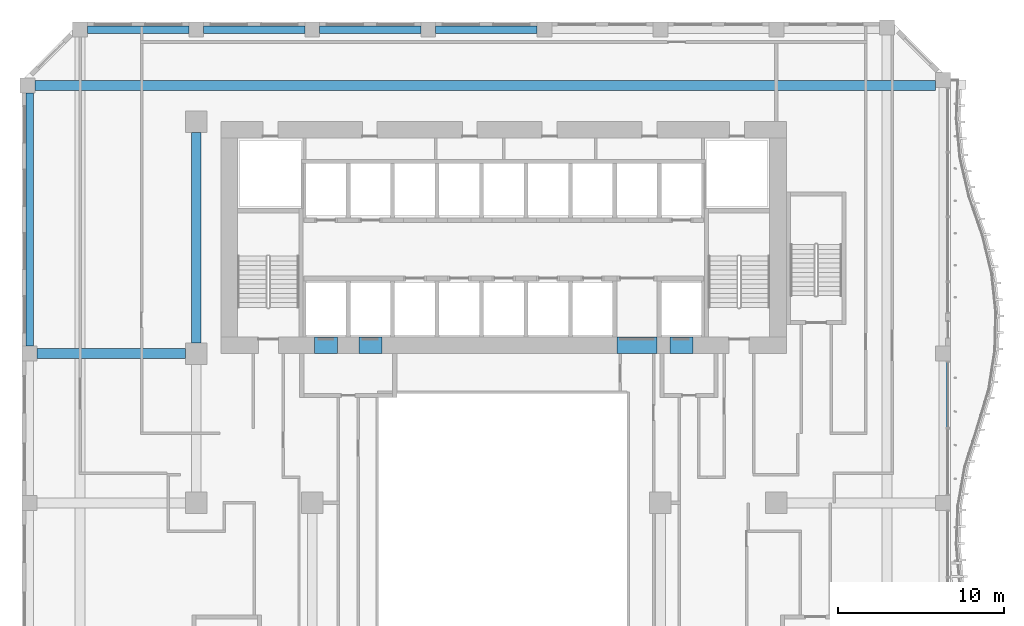
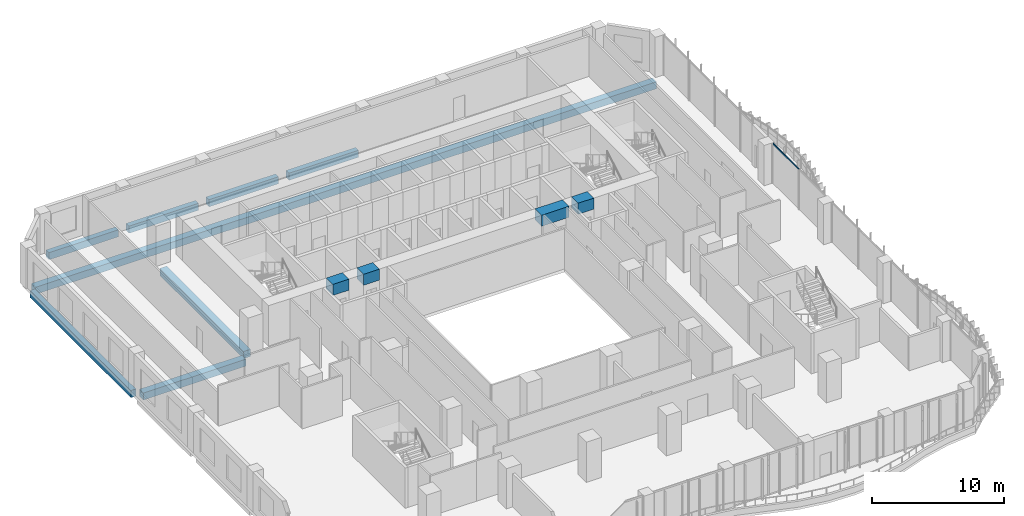
# One storey, part 9 of 27: 12 beams, 1 member, 1 element without a shape of its own.
"""IFC4 building model written with IfcOpenShell, lengths in metres."""

from ifc_helpers import new_model, si_unit, direction, frame, origin, origin_2d, place, context, subcontext, project, spatial, rectangle, extrude, source, transform, mapped, material, material_profile, profile_set, type_object, element, aggregate, save


model = new_model("IFC4")

# Units and contexts
model_context = context("Model", 3, precision=1e-05, world=origin(), true_north=direction((0.0, 1.0)))
body_context = subcontext(model_context, "Body", "Model", "MODEL_VIEW")
ifc_project = project(units=[si_unit("LENGTHUNIT", "METRE"), si_unit("AREAUNIT", "SQUARE_METRE"), si_unit("VOLUMEUNIT", "CUBIC_METRE"), si_unit("PLANEANGLEUNIT", "RADIAN"), si_unit("MASSUNIT", "GRAM", prefix="KILO")], contexts=[model_context])

# Site, building, storey
site_placement = place(None, origin())
site = spatial("IfcSite", under=ifc_project, at=site_placement, CompositionType="ELEMENT")
building_placement = place(site_placement, origin())
building = spatial("IfcBuilding", under=site, at=building_placement, Name="Kilnfold Tower and Market Hall", CompositionType="ELEMENT")
storey_placement = place(building_placement, frame((0.0, 0.0, 43.0)))
storey = spatial("IfcBuildingStorey", under=building, at=storey_placement, Name="L09", CompositionType="ELEMENT", Elevation=43.0)

# Beams
ifc_material_1 = material(Name="Concrete C45", Category="concrete")
ifc_material_profile_1 = material_profile(ifc_material_1, rectangle(XDim=0.449951171875, YDim=0.64990234375, at=origin_2d()), Name="RC 450x650")
ifc_profile_set_1 = profile_set([ifc_material_profile_1], Name="Concrete C45")
beam_type_1 = type_object("IfcBeamType", Name="EDGE BEAM 450X650 C45", PredefinedType="BEAM", material=ifc_profile_set_1)
shared_shape_1 = source(origin(), body_context, "Body", "SweptSolid", [
    extrude(rectangle(XDim=0.449951171875, YDim=0.64990234375, at=origin_2d()), origin(), (0.0, 0.0, 1.0), 6.10009765625),
])
for number, where, z_axis, x_axis, name in (
    (1, (-24.050048828125, 27.550048828125, -0.60498046875), (1.0, 0.0, 0.0), (0.0, 1.0, 0.0), "Beam EB650-B1.23"),
    (2, (-17.050048828125, 27.550048828125, -0.60498046875), (1.0, 0.0, 0.0), (0.0, 1.0, 0.0), "Beam EB650-B1.24"),
    (3, (-10.050048828125, 27.550048828125, -0.60498046875), (1.0, 0.0, 0.0), (0.0, 1.0, 0.0), "Beam EB650-B1.25"),
    (4, (-3.050048828125, 27.550048828125, -0.60498046875), (1.0, 0.0, 0.0), (0.0, 1.0, 0.0), "Beam EB650-B1.26"),
):
    element("IfcBeam", number, at=place(storey_placement, frame(where, z_axis=z_axis, x_axis=x_axis)), inside=storey, type_object=beam_type_1, Name=name, PredefinedType="BEAM", context=body_context, shape_type="MappedRepresentation", body=[
        mapped(shared_shape_1, transform((0.0, 0.0, 0.0))),
    ])
ifc_material_2 = material(Name="Concrete C45", Category="concrete")
ifc_material_profile_2 = material_profile(ifc_material_2, rectangle(XDim=0.60009765625, YDim=0.64990234375, at=origin_2d()), Name="RC 600x650")
ifc_profile_set_2 = profile_set([ifc_material_profile_2], Name="Concrete C45")
beam_type_2 = type_object("IfcBeamType", Name="BEAM 600X650 C45", PredefinedType="BEAM", material=ifc_profile_set_2)
shared_shape_2 = source(origin(), body_context, "Body", "SweptSolid", [
    extrude(rectangle(XDim=0.60009765625, YDim=0.64990234375, at=origin_2d()), origin(), (0.0, 0.0, 1.0), 8.9501953125),
])
beam_1_placement = place(storey_placement, frame((-27.10009765625, 8.0, -0.60498046875), z_axis=(1.0, 0.0, 0.0), x_axis=(0.0, 1.0, 0.0)))
element("IfcBeam", 5, at=beam_1_placement, inside=storey, type_object=beam_type_2, Name="Beam BB650-B1.21", PredefinedType="BEAM", context=body_context, shape_type="MappedRepresentation", body=[
    mapped(shared_shape_2, transform((0.0, 0.0, 0.0))),
])
shared_shape_3 = source(origin(), body_context, "Body", "SweptSolid", [
    extrude(rectangle(XDim=0.60009765625, YDim=0.64990234375, at=origin_2d()), origin(), (0.0, 0.0, 1.0), 54.331787109375),
])
beam_2_placement = place(storey_placement, frame((-27.231689453125, 24.179931640625, -0.60498046875), z_axis=(1.0, 0.0, 0.0), x_axis=(0.0, 1.0, 0.0)))
element("IfcBeam", 6, at=beam_2_placement, inside=storey, type_object=beam_type_2, Name="Beam BB650-B1.22", PredefinedType="BEAM", context=body_context, shape_type="MappedRepresentation", body=[
    mapped(shared_shape_3, transform((0.0, 0.0, 0.0))),
])
shared_shape_4 = source(origin(), body_context, "Body", "SweptSolid", [
    extrude(rectangle(XDim=0.449951171875, YDim=0.64990234375, at=origin_2d()), origin(), (0.0, 0.0, 1.0), 15.28173828125),
])
beam_3_placement = place(storey_placement, frame((-27.550048828125, 8.449951171875, -0.60498046875), z_axis=(0.0, 1.0, 0.0), x_axis=(-1.0, 0.0, 0.0)))
element("IfcBeam", 7, at=beam_3_placement, inside=storey, type_object=beam_type_1, Name="Beam EB650-B1.34", PredefinedType="BEAM", context=body_context, shape_type="MappedRepresentation", body=[
    mapped(shared_shape_4, transform((0.0, 0.0, 0.0))),
])
shared_shape_5 = source(origin(), body_context, "Body", "SweptSolid", [
    extrude(rectangle(XDim=0.60009765625, YDim=0.64990234375, at=origin_2d()), origin(), (0.0, 0.0, 1.0), 12.7001953125),
])
beam_4_placement = place(storey_placement, frame((-17.5, 8.64990234375, -0.60498046875), z_axis=(0.0, 1.0, 0.0), x_axis=(-1.0, 0.0, 0.0)))
element("IfcBeam", 8, at=beam_4_placement, inside=storey, type_object=beam_type_2, Name="Beam BB650-B1.38", PredefinedType="BEAM", context=body_context, shape_type="MappedRepresentation", body=[
    mapped(shared_shape_5, transform((0.0, 0.0, 0.0))),
])
ifc_material_3 = material(Name="Concrete C80", Category="concrete")
ifc_material_profile_3 = material_profile(ifc_material_3, rectangle(XDim=1.0, YDim=1.02001953125, at=origin_2d()), Name="RC 1000x1020")
ifc_profile_set_3 = profile_set([ifc_material_profile_3], Name="Concrete C80")
beam_type_3 = type_object("IfcBeamType", Name="COUPLING BEAM 1000X1020 C80", PredefinedType="BEAM", material=ifc_profile_set_3)
shared_shape_6 = source(origin(), body_context, "Body", "SweptSolid", [
    extrude(rectangle(XDim=1.0, YDim=1.02001953125, at=origin_2d()), origin(), (0.0, 0.0, 1.0), 1.400146484375),
])
beam_5_placement = place(storey_placement, frame((-10.3701171875, 8.5, 3.2099609375), z_axis=(1.0, 0.0, 0.0), x_axis=(0.0, 1.0, 0.0)))
element("IfcBeam", 9, at=beam_5_placement, inside=storey, type_object=beam_type_3, Name="Coupling beam CB1020-80-CORE.42", PredefinedType="BEAM", context=body_context, shape_type="MappedRepresentation", body=[
    mapped(shared_shape_6, transform((0.0, 0.0, 0.0))),
])
shared_shape_7 = source(origin(), body_context, "Body", "SweptSolid", [
    extrude(rectangle(XDim=1.0, YDim=1.02001953125, at=origin_2d()), origin(), (0.0, 0.0, 1.0), 1.39990234375),
])
for number, where, z_axis, x_axis, name in (
    (10, (-7.68994140625, 8.5, 3.2099609375), (1.0, 0.0, 0.0), (0.0, 1.0, 0.0), "Coupling beam CB1020-80-CORE.43"),
    (11, (11.070068359375, 8.5, 3.2099609375), (1.0, 0.0, 0.0), (0.0, 1.0, 0.0), "Coupling beam CB1020-80-CORE.45"),
):
    element("IfcBeam", number, at=place(storey_placement, frame(where, z_axis=z_axis, x_axis=x_axis)), inside=storey, type_object=beam_type_3, Name=name, PredefinedType="BEAM", context=body_context, shape_type="MappedRepresentation", body=[
        mapped(shared_shape_7, transform((0.0, 0.0, 0.0))),
    ])
shared_shape_8 = source(origin(), body_context, "Body", "SweptSolid", [
    extrude(rectangle(XDim=1.0, YDim=1.02001953125, at=origin_2d()), origin(), (0.0, 0.0, 1.0), 2.400146484375),
])
beam_6_placement = place(storey_placement, frame((7.889892578125, 8.5, 3.2099609375), z_axis=(1.0, 0.0, 0.0), x_axis=(0.0, 1.0, 0.0)))
element("IfcBeam", 12, at=beam_6_placement, inside=storey, type_object=beam_type_3, Name="Coupling beam CB1020-80-CORE.44", PredefinedType="BEAM", context=body_context, shape_type="MappedRepresentation", body=[
    mapped(shared_shape_8, transform((0.0, 0.0, 0.0))),
])

# Curtain wall, member
ifc_material_4 = material(Name="Aluminium and double glazing", Category="aluminium")
curtain_wall_type = type_object("IfcCurtainWallType", Name="CW OF1 VALLEY GLAZING", PredefinedType="NOTDEFINED", material=ifc_material_4)
curtain_wall_placement = place(storey_placement, origin())
curtain_wall = element("IfcCurtainWall", 13, at=curtain_wall_placement, inside=storey, type_object=curtain_wall_type, Name="Curtain wall CW1 L09 E", PredefinedType="NOTDEFINED")
ifc_material_5 = material(Name="Aluminium", Category="aluminium")
ifc_material_profile_4 = material_profile(ifc_material_5, rectangle(XDim=0.06005859375, YDim=0.139892578125, at=origin_2d()), Name="TRANSOM 60x140")
ifc_profile_set_4 = profile_set([ifc_material_profile_4], Name="Aluminium")
member_type = type_object("IfcMemberType", Name="TRANSOM 60X140", PredefinedType="USERDEFINED", material=ifc_profile_set_4)
shared_shape_9 = source(origin(), body_context, "Body", "SweptSolid", [
    extrude(rectangle(XDim=0.06005859375, YDim=0.139892578125, at=origin_2d()), origin(), (0.0, 0.0, 1.0), 3.929931640625),
])
member_placement = place(storey_placement, frame((27.85009765625, 3.56005859375, 3.68994140625), z_axis=(0.0, 1.0, 0.0), x_axis=(-1.0, 0.0, 0.0)))
member = element("IfcMember", 14, at=member_placement, type_object=member_type, Name="CW1 transom 1.2", ObjectType="TRANSOM", PredefinedType="USERDEFINED", context=body_context, shape_type="MappedRepresentation", body=[
    mapped(shared_shape_9, transform((0.0, 0.0, 0.0))),
])
aggregate(curtain_wall, [member])

save(model, "model.ifc")
